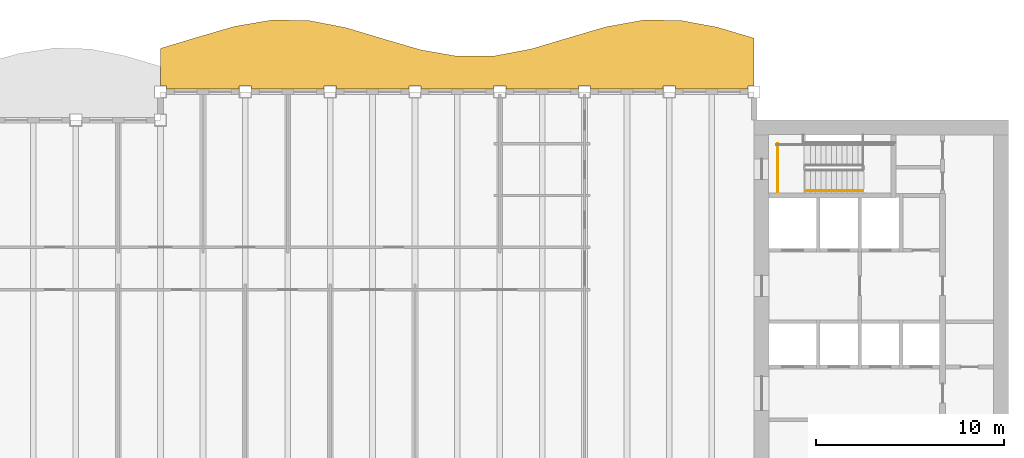
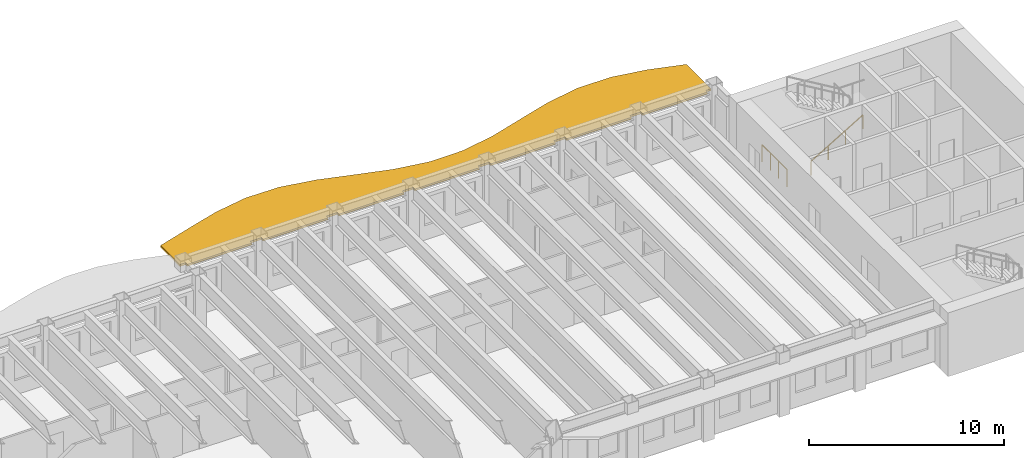
# One storey, part 11 of 12: 2 railings, 1 shading device.
"""IFC4 building model written with IfcOpenShell, lengths in metres."""

from ifc_helpers import new_model, si_unit, direction, frame, origin, origin_2d, place, context, subcontext, project, spatial, polyline, rectangle, outline, extrude, material, layer, layer_set, type_object, element, save


model = new_model("IFC4")

# Units and contexts
model_context = context("Model", 3, precision=1e-05, world=origin(), true_north=direction((0.0, 1.0)))
body_context = subcontext(model_context, "Body", "Model", "MODEL_VIEW")
ifc_project = project(units=[si_unit("LENGTHUNIT", "METRE"), si_unit("AREAUNIT", "SQUARE_METRE"), si_unit("VOLUMEUNIT", "CUBIC_METRE"), si_unit("PLANEANGLEUNIT", "RADIAN"), si_unit("MASSUNIT", "GRAM", prefix="KILO")], contexts=[model_context])

# Site, building, storey
site_placement = place(None, origin())
site = spatial("IfcSite", under=ifc_project, at=site_placement, CompositionType="ELEMENT")
building_placement = place(site_placement, origin())
building = spatial("IfcBuilding", under=site, at=building_placement, Name="Sennacour Bend Tower", CompositionType="ELEMENT")
storey_placement = place(building_placement, frame((0.0, 0.0, 281.0)))
storey = spatial("IfcBuildingStorey", under=building, at=storey_placement, Name="L65", CompositionType="ELEMENT", Elevation=281.0)

# Railings
ifc_material_1 = material(Name="Stainless steel", Category="steel")
railing_type_1 = type_object("IfcRailingType", Name="RL-GUARD-1100", PredefinedType="GUARDRAIL", material=ifc_material_1)
railing_1_placement = place(storey_placement, frame((55.25, 18.699951171875, 0.0)))
element("IfcRailing", 1, at=railing_1_placement, inside=storey, type_object=railing_type_1, Name="L65 SA2 stair guard 7", PredefinedType="GUARDRAIL", context=body_context, shape_type="SweptSolid", body=[
    extrude(rectangle(XDim=0.048095703125, YDim=0.048095703125, at=origin_2d()), frame((0.0, 0.0, 1.076171875), z_axis=(0.0, 1.0, 0.0), x_axis=(-1.0, 0.0, 0.0)), (0.0, 0.0, 1.0), 2.550048828125),
    extrude(rectangle(XDim=0.0419921875, YDim=0.0419921875, at=origin_2d()), origin(), (0.0, 0.0, 1.0), 1.052001953125),
    extrude(rectangle(XDim=0.0419921875, YDim=0.0419921875, at=origin_2d()), frame((0.0, 0.85009765625, 0.0)), (0.0, 0.0, 1.0), 1.052001953125),
    extrude(rectangle(XDim=0.0419921875, YDim=0.0419921875, at=origin_2d()), frame((0.0, 1.699951171875, 0.0)), (0.0, 0.0, 1.0), 1.052001953125),
    extrude(rectangle(XDim=0.0419921875, YDim=0.0419921875, at=origin_2d()), frame((0.0, 2.550048828125, 0.0)), (0.0, 0.0, 1.0), 1.052001953125),
])
railing_type_2 = type_object("IfcRailingType", Name="RL-HANDRAIL-900", PredefinedType="HANDRAIL", material=ifc_material_1)
railing_2_placement = place(storey_placement, frame((56.699951171875, 18.75, 0.166748046875)))
element("IfcRailing", 2, at=railing_2_placement, inside=storey, type_object=railing_type_2, Name="L65 SA2 stair handrail 1", PredefinedType="HANDRAIL", context=body_context, shape_type="SweptSolid", body=[
    extrude(rectangle(XDim=0.048095703125, YDim=0.048095703125, at=origin_2d()), frame((0.0, 0.0, 0.8759765625), z_axis=(0.859308565015, 0.0, 0.511457515432), x_axis=(0.0, 1.0, 0.0)), (0.0, 0.0, 1.0), 3.58447265625),
    extrude(rectangle(XDim=0.0419921875, YDim=0.0419921875, at=origin_2d()), origin(), (0.0, 0.0, 1.0), 0.851806640625),
    extrude(rectangle(XDim=0.0419921875, YDim=0.0419921875, at=origin_2d()), frame((1.026611328125, 0.0, 0.611083984375)), (0.0, 0.0, 1.0), 0.851806640625),
    extrude(rectangle(XDim=0.0419921875, YDim=0.0419921875, at=origin_2d()), frame((2.053466796875, 0.0, 1.22216796875)), (0.0, 0.0, 1.0), 0.851806640625),
    extrude(rectangle(XDim=0.0419921875, YDim=0.0419921875, at=origin_2d()), frame((3.080078125, 0.0, 1.833251953125)), (0.0, 0.0, 1.0), 0.851806640625),
])

# Shading device
ifc_material_2 = material(Name="Bronze anodised aluminium", Category="aluminium")
ifc_layer = layer(ifc_material_2, 0.1201171875, Name="Bronze anodised aluminium", Category="aluminium")
ifc_layer_set = layer_set([ifc_layer], Name="Bronze anodised aluminium")
shading_device_type = type_object("IfcShadingDeviceType", Name="SUNSHADE BAND WAVE", PredefinedType="USERDEFINED", material=ifc_layer_set)
shading_device_placement = place(storey_placement, frame((0.0, 0.0, 3.0419921875)))
element("IfcShadingDevice", 3, at=shading_device_placement, inside=storey, type_object=shading_device_type, Name="Sunshade band L65 concave faces", ObjectType="SUNSHADE", PredefinedType="USERDEFINED", context=body_context, shape_type="SweptSolid", body=[
    extrude(outline(polyline([(53.675048828125, 24.14990234375), (49.824951171875, 24.14990234375), (49.824951171875, 24.324951171875), (49.175048828125, 24.324951171875), (49.175048828125, 24.14990234375), (45.324951171875, 24.14990234375), (45.324951171875, 24.324951171875), (44.675048828125, 24.324951171875), (44.675048828125, 24.14990234375), (40.824951171875, 24.14990234375), (40.824951171875, 24.324951171875), (40.175048828125, 24.324951171875), (40.175048828125, 24.14990234375), (36.324951171875, 24.14990234375), (36.324951171875, 24.324951171875), (35.675048828125, 24.324951171875), (35.675048828125, 24.14990234375), (31.824951171875, 24.14990234375), (31.824951171875, 24.324951171875), (31.175048828125, 24.324951171875), (31.175048828125, 24.14990234375), (27.324951171875, 24.14990234375), (27.324951171875, 24.324951171875), (26.675048828125, 24.324951171875), (26.675048828125, 24.14990234375), (22.824951171875, 24.14990234375), (22.824951171875, 24.324951171875), (22.5, 24.324951171875), (22.5, 26.309326171875), (24.46875, 26.903564453125), (26.4375, 27.4775390625), (28.40625, 27.814453125), (30.375, 27.786865234375), (32.34375, 27.405517578125), (34.3125, 26.814208984375), (36.28125, 26.236572265625), (38.25, 25.890380859375), (40.21875, 25.906982421875), (42.1875, 26.27978515625), (44.15625, 26.867919921875), (46.125, 27.44921875), (48.09375, 27.80419921875), (50.0625, 27.798828125), (52.03125, 27.434814453125), (54.0, 26.85009765625), (54.0, 24.324951171875), (53.675048828125, 24.324951171875), (53.675048828125, 24.14990234375)])), origin(), (0.0, 0.0, 1.0), 0.1201171875),
])

save(model, "model.ifc")
